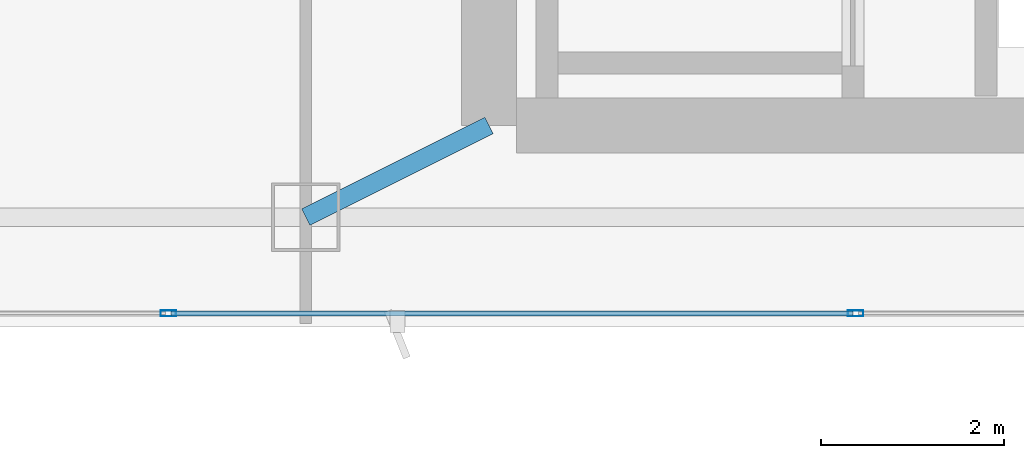
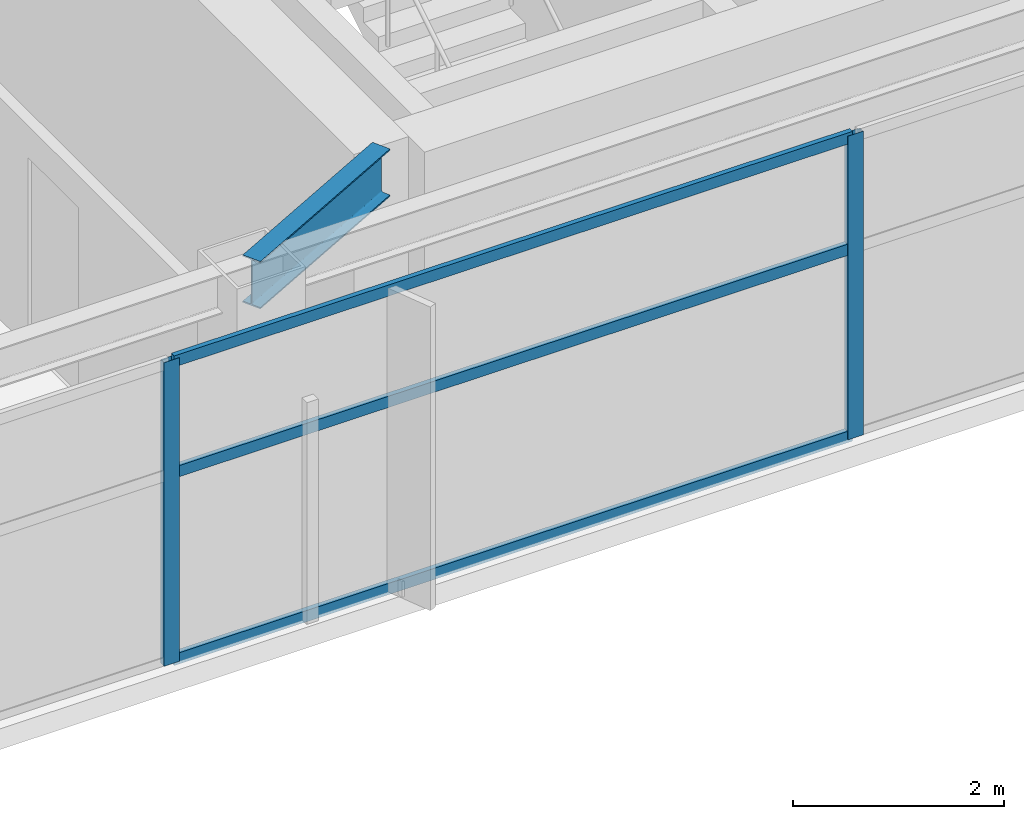
# One storey, part 6 of 27: 5 members, 1 beam, 1 element without a shape of its own.
"""IFC4 building model written with IfcOpenShell, lengths in metres."""

from ifc_helpers import new_model, si_unit, direction, frame, origin, origin_2d, place, context, subcontext, project, spatial, hollow_rectangle, i_section, extrude, material, layer, layer_set, material_profile, profile_set, type_object, element, aggregate, save


model = new_model("IFC4")

# Units and contexts
model_context = context("Model", 3, precision=1e-05, world=origin(), true_north=direction((0.0, 1.0)))
body_context = subcontext(model_context, "Body", "Model", "MODEL_VIEW")
ifc_project = project(units=[si_unit("LENGTHUNIT", "METRE"), si_unit("AREAUNIT", "SQUARE_METRE"), si_unit("VOLUMEUNIT", "CUBIC_METRE"), si_unit("PLANEANGLEUNIT", "RADIAN"), si_unit("MASSUNIT", "GRAM", prefix="KILO")], contexts=[model_context])

# Site, building, storey
site_placement = place(None, origin())
site = spatial("IfcSite", under=ifc_project, at=site_placement, CompositionType="ELEMENT")
building_placement = place(site_placement, origin())
building = spatial("IfcBuilding", under=site, at=building_placement, Name="Calvorn Quay Hotel", CompositionType="ELEMENT")
storey_placement = place(building_placement, frame((0.0, 0.0, 278.699951171875)))
storey = spatial("IfcBuildingStorey", under=building, at=storey_placement, Name="L69", CompositionType="ELEMENT", Elevation=278.699951171875)

# Beam
ifc_material_1 = material(Name="Steel Q355B", Category="steel")
ifc_material_profile_1 = material_profile(ifc_material_1, i_section(OverallWidth=0.199951171875, OverallDepth=0.550048828125, WebThickness=0.010009765625, FlangeThickness=0.01611328125, FilletRadius=0.01806640625, at=origin_2d()), Name="HN550x200x10x16")
ifc_profile_set_1 = profile_set([ifc_material_profile_1], Name="Steel Q355B")
beam_type = type_object("IfcBeamType", Name="BM-GIRD-UPP", PredefinedType="BEAM", material=ifc_profile_set_1)
beam_placement = place(storey_placement, frame((19.60009765625, 3.60009765625, 3.2451171875), z_axis=(0.894427191, 0.4472135955, 0.0), x_axis=(-0.4472135955, 0.894427191, 0.0)))
element("IfcBeam", 1, at=beam_placement, inside=storey, type_object=beam_type, Name="Beam BG-L69-S2", PredefinedType="BEAM", context=body_context, shape_type="SweptSolid", body=[
    extrude(i_section(OverallWidth=0.199951171875, OverallDepth=0.550048828125, WebThickness=0.010009765625, FlangeThickness=0.01611328125, FilletRadius=0.01806640625, at=origin_2d()), origin(), (0.0, 0.0, 1.0), 2.236083984375),
])

# Curtain wall, members
ifc_material_2 = material(Name="Champagne Bronze Anodised Aluminium and Low-E Glass", Category="aluminium")
ifc_layer = layer(ifc_material_2, 0.219970703125)
ifc_layer_set = layer_set([ifc_layer], Name="CW-SYS-Z4")
curtain_wall_type = type_object("IfcCurtainWallType", Name="CW-SYS-Z4", PredefinedType="NOTDEFINED", material=ifc_layer_set)
curtain_wall_placement = place(storey_placement, origin())
curtain_wall = element("IfcCurtainWall", 2, at=curtain_wall_placement, inside=storey, type_object=curtain_wall_type, Name="Tower South Waterfront Curtain Wall (L69)", PredefinedType="NOTDEFINED")
ifc_material_3 = material(Name="Champagne Bronze Anodised Aluminium 6063-T6", Category="aluminium")
ifc_material_profile_2 = material_profile(ifc_material_3, hollow_rectangle(XDim=0.06494140625, YDim=0.169921875, WallThickness=0.00341796875, at=origin_2d()), Name="ALU-M170x65x3.5")
ifc_profile_set_2 = profile_set([ifc_material_profile_2], Name="Champagne Bronze Anodised Aluminium 6063-T6")
member_type_1 = type_object("IfcMemberType", Name="CW-SYS-Z4-MUL", PredefinedType="MULLION", material=ifc_profile_set_2)
member_1_placement = place(storey_placement, frame((18.10009765625, 2.550048828125, 0.0), z_axis=(0.0, 0.0, 1.0), x_axis=(0.0, 1.0, 0.0)))
member_1 = element("IfcMember", 3, at=member_1_placement, type_object=member_type_1, Name="CW-L69-S mullion 2", PredefinedType="MULLION", context=body_context, shape_type="SweptSolid", body=[
    extrude(hollow_rectangle(XDim=0.06494140625, YDim=0.169921875, WallThickness=0.00341796875, at=origin_2d()), origin(), (0.0, 0.0, 1.0), 3.52001953125),
])
member_2_placement = place(storey_placement, frame((25.60009765625, 2.550048828125, 0.0), z_axis=(0.0, 0.0, 1.0), x_axis=(0.0, 1.0, 0.0)))
member_2 = element("IfcMember", 4, at=member_2_placement, type_object=member_type_1, Name="CW-L69-S mullion 3", PredefinedType="MULLION", context=body_context, shape_type="SweptSolid", body=[
    extrude(hollow_rectangle(XDim=0.06494140625, YDim=0.169921875, WallThickness=0.00341796875, at=origin_2d()), origin(), (0.0, 0.0, 1.0), 3.52001953125),
])
ifc_material_4 = material(Name="Champagne Bronze Anodised Aluminium 6063-T6", Category="aluminium")
ifc_material_profile_3 = material_profile(ifc_material_4, hollow_rectangle(XDim=0.054931640625, YDim=0.1298828125, WallThickness=0.003173828125, at=origin_2d()), Name="ALU-T130x55x3.2")
ifc_profile_set_3 = profile_set([ifc_material_profile_3], Name="Champagne Bronze Anodised Aluminium 6063-T6")
member_type_2 = type_object("IfcMemberType", Name="CW-SYS-Z4-TRN", PredefinedType="USERDEFINED", material=ifc_profile_set_3)
member_3_placement = place(storey_placement, frame((18.1298828125, 2.550048828125, 0.030029296875), z_axis=(1.0, 0.0, 0.0), x_axis=(0.0, 1.0, 0.0)))
member_3 = element("IfcMember", 5, at=member_3_placement, type_object=member_type_2, Name="CW-L69-S transom 2.1", ObjectType="TRANSOM", PredefinedType="USERDEFINED", context=body_context, shape_type="SweptSolid", body=[
    extrude(hollow_rectangle(XDim=0.054931640625, YDim=0.1298828125, WallThickness=0.003173828125, at=origin_2d()), origin(), (0.0, 0.0, 1.0), 7.440185546875),
])
member_4_placement = place(storey_placement, frame((18.1298828125, 2.550048828125, 2.199951171875), z_axis=(1.0, 0.0, 0.0), x_axis=(0.0, 1.0, 0.0)))
member_4 = element("IfcMember", 6, at=member_4_placement, type_object=member_type_2, Name="CW-L69-S transom 2.2", ObjectType="TRANSOM", PredefinedType="USERDEFINED", context=body_context, shape_type="SweptSolid", body=[
    extrude(hollow_rectangle(XDim=0.054931640625, YDim=0.1298828125, WallThickness=0.003173828125, at=origin_2d()), origin(), (0.0, 0.0, 1.0), 7.440185546875),
])
member_5_placement = place(storey_placement, frame((18.1298828125, 2.550048828125, 3.489990234375), z_axis=(1.0, 0.0, 0.0), x_axis=(0.0, 1.0, 0.0)))
member_5 = element("IfcMember", 7, at=member_5_placement, type_object=member_type_2, Name="CW-L69-S transom 2.3", ObjectType="TRANSOM", PredefinedType="USERDEFINED", context=body_context, shape_type="SweptSolid", body=[
    extrude(hollow_rectangle(XDim=0.054931640625, YDim=0.1298828125, WallThickness=0.003173828125, at=origin_2d()), origin(), (0.0, 0.0, 1.0), 7.440185546875),
])
aggregate(curtain_wall, [member_1, member_2, member_3, member_4, member_5])

save(model, "model.ifc")
